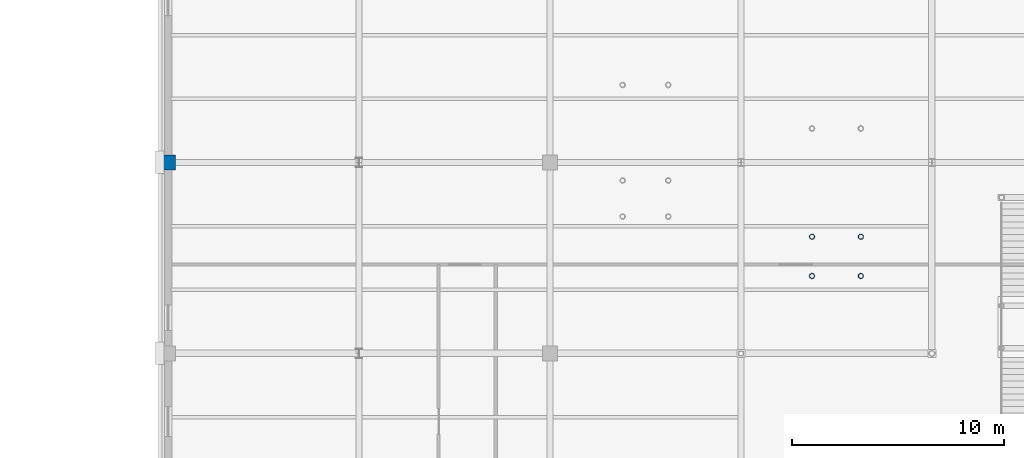
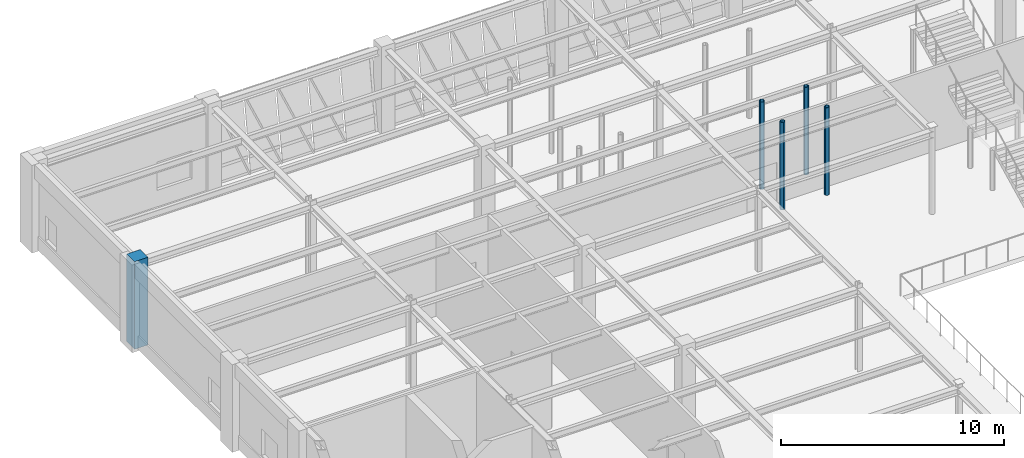
# One storey, part 8 of 92: 5 columns.
"""IFC4 building model written with IfcOpenShell, lengths in metres."""

from ifc_helpers import new_model, si_unit, direction, frame, origin, origin_2d, place, context, subcontext, project, spatial, rectangle, hollow_circle, extrude, material, material_profile, profile_set, type_object, element, save


model = new_model("IFC4")

# Units and contexts
model_context = context("Model", 3, precision=1e-05, world=origin(), true_north=direction((0.0, 1.0)))
body_context = subcontext(model_context, "Body", "Model", "MODEL_VIEW")
ifc_project = project(units=[si_unit("LENGTHUNIT", "METRE"), si_unit("AREAUNIT", "SQUARE_METRE"), si_unit("VOLUMEUNIT", "CUBIC_METRE"), si_unit("PLANEANGLEUNIT", "RADIAN"), si_unit("MASSUNIT", "GRAM", prefix="KILO")], contexts=[model_context])

# Site, building, storey
site_placement = place(None, origin())
site = spatial("IfcSite", under=ifc_project, at=site_placement, CompositionType="ELEMENT")
building_placement = place(site_placement, origin())
building = spatial("IfcBuilding", under=site, at=building_placement, Name="Lykobir Media Centre", CompositionType="ELEMENT")
storey_placement = place(building_placement, frame((0.0, 0.0, 5.39990234375)))
storey = spatial("IfcBuildingStorey", under=building, at=storey_placement, Name="L01", CompositionType="ELEMENT", Elevation=5.39990234375)

# Columns
ifc_material_1 = material(Name="Concrete C40/50", Category="concrete")
ifc_material_profile_1 = material_profile(ifc_material_1, rectangle(XDim=0.699951171875, YDim=0.699951171875, at=origin_2d()), Name="RC 700x700")
ifc_profile_set_1 = profile_set([ifc_material_profile_1], Name="Concrete C40/50")
column_type_1 = type_object("IfcColumnType", Name="RC-C700", PredefinedType="COLUMN", material=ifc_profile_set_1)
column_placement = place(storey_placement, frame((27.0, 99.0, 0.0), z_axis=(0.0, 0.0, 1.0), x_axis=(1.0, 0.0, 0.0)))
element("IfcColumn", 1, at=column_placement, inside=storey, type_object=column_type_1, Name="Column COL-L01-0270-0990", PredefinedType="COLUMN", context=body_context, shape_type="SweptSolid", body=[
    extrude(rectangle(XDim=0.699951171875, YDim=0.699951171875, at=origin_2d()), origin(), (0.0, 0.0, 1.0), 4.800048828125),
])
ifc_material_2 = material(Name="Steel S355", Category="steel")
ifc_material_profile_2 = material_profile(ifc_material_2, hollow_circle(Radius=0.122314453125, WallThickness=0.012451171875, at=origin_2d()), Name="CHS 244.5x12.5")
ifc_profile_set_2 = profile_set([ifc_material_profile_2], Name="Steel S355")
column_type_2 = type_object("IfcColumnType", Name="SC-CHS244", PredefinedType="COLUMN", material=ifc_profile_set_2)
for number, where, z_axis, x_axis, name in (
    (2, (57.35009765625, 93.64990234375, 0.0), (0.0, 0.0, 1.0), (1.0, 0.0, 0.0), "Valley stair column L01 3-574-936"),
    (3, (57.35009765625, 95.5, 0.0), (0.0, 0.0, 1.0), (1.0, 0.0, 0.0), "Valley stair column L01 3-574-955"),
    (4, (59.64990234375, 93.64990234375, 0.0), (0.0, 0.0, 1.0), (1.0, 0.0, 0.0), "Valley stair column L01 3-596-936"),
    (5, (59.64990234375, 95.5, 0.0), (0.0, 0.0, 1.0), (1.0, 0.0, 0.0), "Valley stair column L01 3-596-955"),
):
    element("IfcColumn", number, at=place(storey_placement, frame(where, z_axis=z_axis, x_axis=x_axis)), inside=storey, type_object=column_type_2, Name=name, PredefinedType="COLUMN", context=body_context, shape_type="SweptSolid", body=[
        extrude(hollow_circle(Radius=0.122314453125, WallThickness=0.012451171875, at=origin_2d()), origin(), (0.0, 0.0, 1.0), 4.800048828125),
    ])

save(model, "model.ifc")
